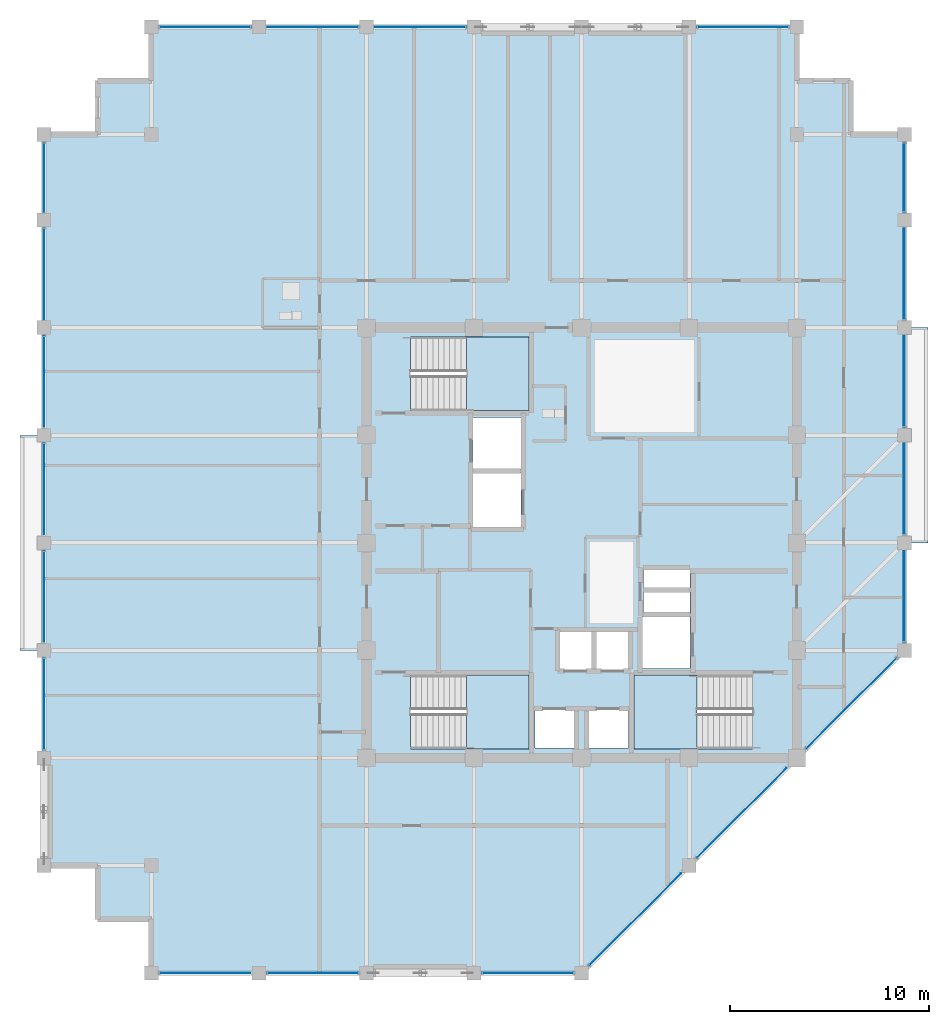
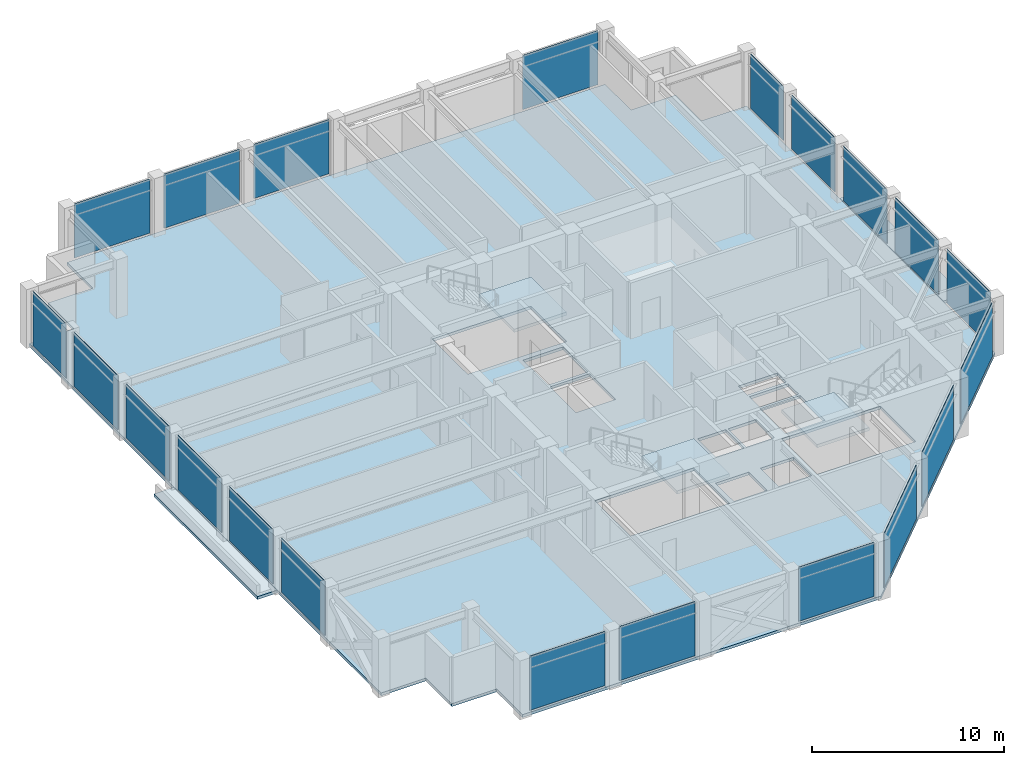
# One storey, part 22 of 30: 21 plates, 6 slabs, 10 elements without a shape of their own.
"""IFC4 building model written with IfcOpenShell, lengths in metres."""

import ifcopenshell
import ifcopenshell.guid

model = None  # the IFC model being written
_history = None  # IfcOwnerHistory: only IFC2X3 demands one
_inside = {}  # id of a spatial element -> (the spatial element, [elements in it])
_under = {}  # id of a project, library or spatial element -> (it, [spatial elements below it])
_declared = {}  # id of a project -> (the project, [libraries it declares])
_typed = {}  # id of a type object -> (the type object, [elements of that type])
_made_of = {}  # id of a material, layer set ... -> (it, [elements and type objects made of it])


def new_model(schema):
    """Start an empty IFC model of exactly this schema.

    Asked for "IFC4X3", IfcOpenShell would pick the latest addendum, in which some entities
    have other attributes; the version numbers below select the first issue.
    IFC2X3 requires an IfcOwnerHistory on every rooted entity: one is made here for all.
    """
    global model, _history
    if schema == "IFC4X3":
        model = ifcopenshell.file(schema_version=(4, 3, 0, 0))
    else:
        model = ifcopenshell.file(schema=schema)
    _inside.clear()
    _under.clear()
    _declared.clear()
    _typed.clear()
    _made_of.clear()
    _history = None
    if model.schema == "IFC2X3":
        org = make("IfcOrganization", Name="unknown")
        user = make(
            "IfcPersonAndOrganization",
            ThePerson=make("IfcPerson", FamilyName="unknown"),
            TheOrganization=org,
        )
        app = make(
            "IfcApplication",
            ApplicationDeveloper=org,
            Version="unknown",
            ApplicationFullName="unknown",
            ApplicationIdentifier="unknown",
        )
        _history = make(
            "IfcOwnerHistory",
            OwningUser=user,
            OwningApplication=app,
            ChangeAction="ADDED",
            CreationDate=0,
        )
    return model


def make(cls, **values):
    """One entity of the class cls with the attributes given. An attribute that is None is left unset."""
    return model.create_entity(
        cls, **{name: value for name, value in values.items() if value is not None}
    )


def rooted(cls, **values):
    """An entity with a GlobalId (a new one), such as an element, a storey or a relation."""
    return make(cls, GlobalId=ifcopenshell.guid.new(), OwnerHistory=_history, **values)


def si_unit(unit_type, name, prefix=None):
    """IfcSIUnit, for example si_unit("LENGTHUNIT", "METRE", prefix="MILLI")."""
    return make("IfcSIUnit", UnitType=unit_type, Prefix=prefix, Name=name)


def assignment(units):
    """IfcUnitAssignment: the units of a project."""
    return None if units is None else make("IfcUnitAssignment", Units=units)


def point(xyz):
    """IfcCartesianPoint."""
    return None if xyz is None else make("IfcCartesianPoint", Coordinates=xyz)


def direction(xyz):
    """IfcDirection."""
    return None if xyz is None else make("IfcDirection", DirectionRatios=xyz)


def frame(location, z_axis=None, x_axis=None):
    """IfcAxis2Placement3D, a coordinate frame: its origin and axes. An axis left out is left unset."""
    return make(
        "IfcAxis2Placement3D",
        Location=point(location),
        Axis=direction(z_axis),
        RefDirection=direction(x_axis),
    )


def frame_2d(location, x_axis=None):
    """IfcAxis2Placement2D, a coordinate frame in the plane: its origin and x axis."""
    return make(
        "IfcAxis2Placement2D", Location=point(location), RefDirection=direction(x_axis)
    )


def origin():
    """The frame at (0, 0, 0) with its axes left unset."""
    return frame((0.0, 0.0, 0.0))


def place(relative_to, where):
    """IfcLocalPlacement: puts the frame where relative to a parent placement (None: the world)."""
    return make(
        "IfcLocalPlacement", PlacementRelTo=relative_to, RelativePlacement=where
    )


def context(
    kind, dimensions, precision=None, world=None, true_north=None, identifier=None
):
    """IfcGeometricRepresentationContext, for example the 3D "Model" context."""
    return make(
        "IfcGeometricRepresentationContext",
        ContextIdentifier=identifier,
        ContextType=kind,
        CoordinateSpaceDimension=dimensions,
        Precision=precision,
        WorldCoordinateSystem=world,
        TrueNorth=true_north,
    )


def subcontext(parent, identifier, kind, view, scale=None):
    """IfcGeometricRepresentationSubContext, for example "Body" below "Model"."""
    return make(
        "IfcGeometricRepresentationSubContext",
        ContextIdentifier=identifier,
        ContextType=kind,
        ParentContext=parent,
        TargetScale=scale,
        TargetView=view,
    )


def project(units=None, contexts=None):
    """IfcProject with its units and contexts."""
    return rooted(
        "IfcProject",
        Name="project",
        RepresentationContexts=contexts,
        UnitsInContext=assignment(units),
    )


def spatial(cls, under=None, at=None, **own):
    """A site, building, storey or space (cls), placed at a placement, below another one or the project."""
    s = rooted(cls, ObjectPlacement=at, **own)
    if under is not None:
        _under.setdefault(under.id(), (under, []))[1].append(s)
    return s


def polyline(points):
    """IfcPolyline through the points."""
    return make("IfcPolyline", Points=[point(p) for p in points])


def profile(cls, at=None, kind="AREA", **sizes):
    """A parametric profile (cls). Its sizes go by their IFC names, for example OverallWidth=200.0."""
    return make(cls, ProfileType=kind, Position=at, **sizes)


def rectangle(**sizes):
    """IfcRectangleProfileDef."""
    return profile("IfcRectangleProfileDef", **sizes)


def outline(outer, holes=None, kind="AREA"):
    """IfcArbitraryClosedProfileDef: a profile drawn as a closed curve; with holes, ...WithVoids."""
    if holes is None:
        return make("IfcArbitraryClosedProfileDef", ProfileType=kind, OuterCurve=outer)
    return make(
        "IfcArbitraryProfileDefWithVoids",
        ProfileType=kind,
        OuterCurve=outer,
        InnerCurves=holes,
    )


def extrude(swept, where, along, depth):
    """IfcExtrudedAreaSolid: the profile swept, set in the frame where, extruded along a direction by depth."""
    return make(
        "IfcExtrudedAreaSolid",
        SweptArea=swept,
        Position=where,
        ExtrudedDirection=direction(along),
        Depth=depth,
    )


def shape(context_of_items, identifier, shape_type, items):
    """IfcShapeRepresentation: the items that make up one representation, for example the "Body"."""
    return make(
        "IfcShapeRepresentation",
        ContextOfItems=context_of_items,
        RepresentationIdentifier=identifier,
        RepresentationType=shape_type,
        Items=items,
    )


def material(Name=None, Category=None):
    """IfcMaterial."""
    return make("IfcMaterial", Name=Name, Category=Category)


def layer(
    of_material, thickness, ventilated=None, Name=None, Category=None, Priority=None
):
    """IfcMaterialLayer: one layer of a wall or slab, of a material (None: an air gap)."""
    return make(
        "IfcMaterialLayer",
        Material=of_material,
        LayerThickness=thickness,
        IsVentilated=ventilated,
        Name=Name,
        Category=Category,
        Priority=Priority,
    )


def layer_set(layers, Name=None):
    """IfcMaterialLayerSet."""
    return make("IfcMaterialLayerSet", MaterialLayers=layers, LayerSetName=Name)


def made_of(thing, what):
    """Note that an element or type object is made of a material, layer set ...; save() writes the relation."""
    if what is not None:
        _made_of.setdefault(what.id(), (what, []))[1].append(thing)
    return thing


def type_object(cls, material=None, **own):
    """A type object (cls), such as IfcWallType, which elements share."""
    return made_of(rooted(cls, **own), material)


def element(
    cls,
    number,
    at=None,
    inside=None,
    cuts=None,
    type_object=None,
    material=None,
    context=None,
    identifier="Body",
    shape_type=None,
    held_by="IfcProductDefinitionShape",
    body=None,
    shapes=None,
    **own,
):
    """One element of the class cls, such as IfcWall. Its Tag is "e" and its number.

    at: its placement. inside: the storey or other place that contains it. cuts: it is an
    opening in that element (IfcRelVoidsElement). A single representation is given by context,
    identifier, shape_type and body (its items); several are given by shapes. held_by: the class
    of the entity that holds the representations. save() writes the other relations.
    """
    e = rooted(cls, Tag="e%d" % number, ObjectPlacement=at, **own)
    if body is not None:
        shapes = [shape(context, identifier, shape_type, body)]
    if shapes is not None:
        e.Representation = make(held_by, Representations=shapes)
    if inside is not None:
        _inside.setdefault(inside.id(), (inside, []))[1].append(e)
    if cuts is not None:
        rooted(
            "IfcRelVoidsElement", RelatingBuildingElement=cuts, RelatedOpeningElement=e
        )
    if type_object is not None:
        _typed.setdefault(type_object.id(), (type_object, []))[1].append(e)
    return made_of(e, material)


def aggregate(whole, parts):
    """IfcRelAggregates: a whole, such as a stair, and the parts it consists of."""
    return rooted("IfcRelAggregates", RelatingObject=whole, RelatedObjects=parts)


def save(model, path):
    """Write the relations noted so far, then the file.

    IfcRelAggregates (storeys below a building ...), IfcRelContainedInSpatialStructure (elements
    in a storey), IfcRelDefinesByType, IfcRelAssociatesMaterial and IfcRelDeclares: one each for
    every whole, place, type object, material and project.
    """
    for whole, parts in _under.values():
        aggregate(whole, parts)
    for where, things in _inside.values():
        rooted(
            "IfcRelContainedInSpatialStructure",
            RelatedElements=things,
            RelatingStructure=where,
        )
    for kind, things in _typed.values():
        rooted("IfcRelDefinesByType", RelatedObjects=things, RelatingType=kind)
    for what, things in _made_of.values():
        rooted("IfcRelAssociatesMaterial", RelatedObjects=things, RelatingMaterial=what)
    for by, libraries in _declared.values():
        rooted("IfcRelDeclares", RelatingContext=by, RelatedDefinitions=libraries)
    model.write(path)


model = new_model("IFC4")

# Units and contexts
model_context = context("Model", 3, precision=1e-05, world=origin(), true_north=direction((0.0, 1.0)))
body_context = subcontext(model_context, "Body", "Model", "MODEL_VIEW")
ifc_project = project(units=[si_unit("LENGTHUNIT", "METRE"), si_unit("AREAUNIT", "SQUARE_METRE"), si_unit("VOLUMEUNIT", "CUBIC_METRE"), si_unit("PLANEANGLEUNIT", "RADIAN"), si_unit("MASSUNIT", "GRAM", prefix="KILO")], contexts=[model_context])

# Site, building, storey
site_placement = place(None, origin())
site = spatial("IfcSite", under=ifc_project, at=site_placement, CompositionType="ELEMENT")
building_placement = place(site_placement, origin())
building = spatial("IfcBuilding", under=site, at=building_placement, Name="Surkhivell Harbour Commons", CompositionType="ELEMENT")
storey_placement = place(building_placement, frame((0.0, 0.0, 281.25)))
storey = spatial("IfcBuildingStorey", under=building, at=storey_placement, Name="L73", CompositionType="ELEMENT", Elevation=281.25)

# Curtain wall, plates
ifc_material_1 = material(Name="Anodised pale-metal aluminium and insulated glazing", Category="aluminium")
ifc_layer_1 = layer(ifc_material_1, 0.175048828125)
ifc_layer_set_1 = layer_set([ifc_layer_1], Name="Anodised pale-metal aluminium and insulated glazing")
curtain_wall_type = type_object("IfcCurtainWallType", Name="CW-SYS-Z4", PredefinedType="NOTDEFINED", material=ifc_layer_set_1)
curtain_wall_1_placement = place(storey_placement, origin())
curtain_wall_1 = element("IfcCurtainWall", 1, at=curtain_wall_1_placement, inside=storey, type_object=curtain_wall_type, Name="L73 Curtain Wall CW-L73-E00S1", PredefinedType="NOTDEFINED")
ifc_material_2 = material(Name="Double-silver low-E laminated vision glass", Category="glass")
ifc_layer_2 = layer(ifc_material_2, 0.031982421875)
ifc_layer_set_2 = layer_set([ifc_layer_2], Name="Double-silver low-E laminated vision glass")
plate_type = type_object("IfcPlateType", Name="CWP-GLZ-32", PredefinedType="CURTAIN_PANEL", material=ifc_layer_set_2)
plate_1_placement = place(storey_placement, frame((-21.173095703125, -21.60009765625, 0.1298828125), z_axis=(0.0, 0.0, 1.0), x_axis=(1.0, 0.0, 0.0)))
plate_1 = element("IfcPlate", 2, at=plate_1_placement, type_object=plate_type, Name="CW-Z4 panel 1.1", PredefinedType="CURTAIN_PANEL", context=body_context, shape_type="SweptSolid", body=[
    extrude(rectangle(XDim=4.546142578125, YDim=0.031982421875, at=frame_2d((2.27294921875, 0.0))), origin(), (0.0, 0.0, 1.0), 3.440185546875),
])
plate_2_placement = place(storey_placement, frame((-15.77294921875, -21.60009765625, 0.1298828125), z_axis=(0.0, 0.0, 1.0), x_axis=(1.0, 0.0, 0.0)))
plate_2 = element("IfcPlate", 3, at=plate_2_placement, type_object=plate_type, Name="CW-Z4 panel 2.1", PredefinedType="CURTAIN_PANEL", context=body_context, shape_type="SweptSolid", body=[
    extrude(rectangle(XDim=4.5458984375, YDim=0.031982421875, at=frame_2d((2.27294921875, 0.0))), origin(), (0.0, 0.0, 1.0), 3.440185546875),
])
aggregate(curtain_wall_1, [plate_1, plate_2])

# Curtain wall, plate
curtain_wall_2_placement = place(storey_placement, origin())
curtain_wall_2 = element("IfcCurtainWall", 4, at=curtain_wall_2_placement, inside=storey, type_object=curtain_wall_type, Name="L73 Curtain Wall CW-L73-E00S2", PredefinedType="NOTDEFINED")
plate_3_placement = place(storey_placement, frame((-4.972900390625, -21.60009765625, 0.1298828125), z_axis=(0.0, 0.0, 1.0), x_axis=(1.0, 0.0, 0.0)))
plate_3 = element("IfcPlate", 5, at=plate_3_placement, type_object=plate_type, Name="CW-Z4 panel 1.1", PredefinedType="CURTAIN_PANEL", context=body_context, shape_type="SweptSolid", body=[
    extrude(rectangle(XDim=4.5458984375, YDim=0.031982421875, at=frame_2d((2.27294921875, 0.0))), origin(), (0.0, 0.0, 1.0), 3.440185546875),
])
aggregate(curtain_wall_2, [plate_3])

# Curtain wall, plates
curtain_wall_3_placement = place(storey_placement, origin())
curtain_wall_3 = element("IfcCurtainWall", 6, at=curtain_wall_3_placement, inside=storey, type_object=curtain_wall_type, Name="L73 Curtain Wall CW-L73-E01", PredefinedType="NOTDEFINED")
plate_4_placement = place(storey_placement, frame((0.404541015625, -21.1953125, 0.1298828125), z_axis=(0.0, 0.0, 1.0), x_axis=(0.707125583467, 0.707087978406, 0.0)))
plate_4 = element("IfcPlate", 7, at=plate_4_placement, type_object=plate_type, Name="CW-Z4 panel 1.1", PredefinedType="CURTAIN_PANEL", context=body_context, shape_type="SweptSolid", body=[
    extrude(rectangle(XDim=6.4921875, YDim=0.031982421875, at=frame_2d((3.24609375, 0.0))), origin(), (0.0, 0.0, 1.0), 3.440185546875),
])
plate_5_placement = place(storey_placement, frame((5.8046875, -15.79541015625, 0.1298828125), z_axis=(0.0, 0.0, 1.0), x_axis=(0.707106781187, 0.707106781187, 0.0)))
plate_5 = element("IfcPlate", 8, at=plate_5_placement, type_object=plate_type, Name="CW-Z4 panel 2.1", PredefinedType="CURTAIN_PANEL", context=body_context, shape_type="SweptSolid", body=[
    extrude(rectangle(XDim=6.350830078125, YDim=0.031982421875, at=frame_2d((3.17529296875, 0.0))), origin(), (0.0, 0.0, 1.0), 3.440185546875),
])
plate_6_placement = place(storey_placement, frame((11.3046875, -10.29541015625, 0.1298828125), z_axis=(0.0, 0.0, 1.0), x_axis=(0.707106781187, 0.707106781187, 0.0)))
plate_6 = element("IfcPlate", 9, at=plate_6_placement, type_object=plate_type, Name="CW-Z4 panel 3.1", PredefinedType="CURTAIN_PANEL", context=body_context, shape_type="SweptSolid", body=[
    extrude(rectangle(XDim=6.350830078125, YDim=0.031982421875, at=frame_2d((3.17529296875, 0.0))), origin(), (0.0, 0.0, 1.0), 3.440185546875),
])
aggregate(curtain_wall_3, [plate_4, plate_5, plate_6])

curtain_wall_4_placement = place(storey_placement, origin())
curtain_wall_4 = element("IfcCurtainWall", 10, at=curtain_wall_4_placement, inside=storey, type_object=curtain_wall_type, Name="L73 Curtain Wall CW-L73-E02", PredefinedType="NOTDEFINED")
plate_7_placement = place(storey_placement, frame((16.199951171875, -4.972900390625, 0.1298828125), z_axis=(0.0, 0.0, 1.0), x_axis=(0.0, 1.0, 0.0)))
plate_7 = element("IfcPlate", 11, at=plate_7_placement, type_object=plate_type, Name="CW-Z4 panel 1.1", PredefinedType="CURTAIN_PANEL", context=body_context, shape_type="SweptSolid", body=[
    extrude(rectangle(XDim=4.5458984375, YDim=0.031982421875, at=frame_2d((2.27294921875, 0.0))), origin(), (0.0, 0.0, 1.0), 3.440185546875),
])
plate_8_placement = place(storey_placement, frame((16.199951171875, 0.427001953125, 0.1298828125), z_axis=(0.0, 0.0, 1.0), x_axis=(0.0, 1.0, 0.0)))
plate_8 = element("IfcPlate", 12, at=plate_8_placement, type_object=plate_type, Name="CW-Z4 panel 2.1", PredefinedType="CURTAIN_PANEL", context=body_context, shape_type="SweptSolid", body=[
    extrude(rectangle(XDim=4.5458984375, YDim=0.031982421875, at=frame_2d((2.27294921875, 0.0))), origin(), (0.0, 0.0, 1.0), 3.440185546875),
])
plate_9_placement = place(storey_placement, frame((16.199951171875, 5.826904296875, 0.1298828125), z_axis=(0.0, 0.0, 1.0), x_axis=(0.0, 1.0, 0.0)))
plate_9 = element("IfcPlate", 13, at=plate_9_placement, type_object=plate_type, Name="CW-Z4 panel 3.1", PredefinedType="CURTAIN_PANEL", context=body_context, shape_type="SweptSolid", body=[
    extrude(rectangle(XDim=4.546142578125, YDim=0.031982421875, at=frame_2d((2.27294921875, 0.0))), origin(), (0.0, 0.0, 1.0), 3.440185546875),
])
plate_10_placement = place(storey_placement, frame((16.199951171875, 11.22705078125, 0.1298828125), z_axis=(0.0, 0.0, 1.0), x_axis=(0.0, 1.0, 0.0)))
plate_10 = element("IfcPlate", 14, at=plate_10_placement, type_object=plate_type, Name="CW-Z4 panel 4.1", PredefinedType="CURTAIN_PANEL", context=body_context, shape_type="SweptSolid", body=[
    extrude(rectangle(XDim=4.5458984375, YDim=0.031982421875, at=frame_2d((2.27294921875, 0.0))), origin(), (0.0, 0.0, 1.0), 3.440185546875),
])
plate_11_placement = place(storey_placement, frame((16.199951171875, 16.626953125, 0.1298828125), z_axis=(0.0, 0.0, 1.0), x_axis=(0.0, 1.0, 0.0)))
plate_11 = element("IfcPlate", 15, at=plate_11_placement, type_object=plate_type, Name="CW-Z4 panel 5.1", PredefinedType="CURTAIN_PANEL", context=body_context, shape_type="SweptSolid", body=[
    extrude(rectangle(XDim=3.446044921875, YDim=0.031982421875, at=frame_2d((1.72314453125, 0.0))), origin(), (0.0, 0.0, 1.0), 3.440185546875),
])
aggregate(curtain_wall_4, [plate_7, plate_8, plate_9, plate_10, plate_11])

# Curtain wall, plate
curtain_wall_5_placement = place(storey_placement, origin())
curtain_wall_5 = element("IfcCurtainWall", 16, at=curtain_wall_5_placement, inside=storey, type_object=curtain_wall_type, Name="L73 Curtain Wall CW-L73-E07S1", PredefinedType="NOTDEFINED")
plate_12_placement = place(storey_placement, frame((10.373046875, 25.89990234375, 0.1298828125), z_axis=(0.0, 0.0, 1.0), x_axis=(-1.0, 0.0, 0.0)))
plate_12 = element("IfcPlate", 17, at=plate_12_placement, type_object=plate_type, Name="CW-Z4 panel 1.1", PredefinedType="CURTAIN_PANEL", context=body_context, shape_type="SweptSolid", body=[
    extrude(rectangle(XDim=4.546142578125, YDim=0.031982421875, at=frame_2d((2.27294921875, 0.0))), origin(), (0.0, 0.0, 1.0), 3.440185546875),
])
aggregate(curtain_wall_5, [plate_12])

# Curtain wall, plates
curtain_wall_6_placement = place(storey_placement, origin())
curtain_wall_6 = element("IfcCurtainWall", 18, at=curtain_wall_6_placement, inside=storey, type_object=curtain_wall_type, Name="L73 Curtain Wall CW-L73-E07S2", PredefinedType="NOTDEFINED")
plate_13_placement = place(storey_placement, frame((-5.826904296875, 25.89990234375, 0.1298828125), z_axis=(0.0, 0.0, 1.0), x_axis=(-1.0, 0.0, 0.0)))
plate_13 = element("IfcPlate", 19, at=plate_13_placement, type_object=plate_type, Name="CW-Z4 panel 1.1", PredefinedType="CURTAIN_PANEL", context=body_context, shape_type="SweptSolid", body=[
    extrude(rectangle(XDim=4.546142578125, YDim=0.031982421875, at=frame_2d((2.27294921875, 0.0))), origin(), (0.0, 0.0, 1.0), 3.440185546875),
])
plate_14_placement = place(storey_placement, frame((-11.22705078125, 25.89990234375, 0.1298828125), z_axis=(0.0, 0.0, 1.0), x_axis=(-1.0, 0.0, 0.0)))
plate_14 = element("IfcPlate", 20, at=plate_14_placement, type_object=plate_type, Name="CW-Z4 panel 2.1", PredefinedType="CURTAIN_PANEL", context=body_context, shape_type="SweptSolid", body=[
    extrude(rectangle(XDim=4.5458984375, YDim=0.031982421875, at=frame_2d((2.27294921875, 0.0))), origin(), (0.0, 0.0, 1.0), 3.440185546875),
])
plate_15_placement = place(storey_placement, frame((-16.626953125, 25.89990234375, 0.1298828125), z_axis=(0.0, 0.0, 1.0), x_axis=(-1.0, 0.0, 0.0)))
plate_15 = element("IfcPlate", 21, at=plate_15_placement, type_object=plate_type, Name="CW-Z4 panel 3.1", PredefinedType="CURTAIN_PANEL", context=body_context, shape_type="SweptSolid", body=[
    extrude(rectangle(XDim=4.546142578125, YDim=0.031982421875, at=frame_2d((2.27294921875, 0.0))), origin(), (0.0, 0.0, 1.0), 3.440185546875),
])
aggregate(curtain_wall_6, [plate_13, plate_14, plate_15])

curtain_wall_7_placement = place(storey_placement, origin())
curtain_wall_7 = element("IfcCurtainWall", 22, at=curtain_wall_7_placement, inside=storey, type_object=curtain_wall_type, Name="L73 Curtain Wall CW-L73-E12S1", PredefinedType="NOTDEFINED")
plate_16_placement = place(storey_placement, frame((-27.0, 20.072998046875, 0.1298828125), z_axis=(0.0, 0.0, 1.0), x_axis=(0.0, -1.0, 0.0)))
plate_16 = element("IfcPlate", 23, at=plate_16_placement, type_object=plate_type, Name="CW-Z4 panel 1.1", PredefinedType="CURTAIN_PANEL", context=body_context, shape_type="SweptSolid", body=[
    extrude(rectangle(XDim=3.446044921875, YDim=0.031982421875, at=frame_2d((1.72314453125, 0.0))), origin(), (0.0, 0.0, 1.0), 3.440185546875),
])
plate_17_placement = place(storey_placement, frame((-27.0, 15.77294921875, 0.1298828125), z_axis=(0.0, 0.0, 1.0), x_axis=(0.0, -1.0, 0.0)))
plate_17 = element("IfcPlate", 24, at=plate_17_placement, type_object=plate_type, Name="CW-Z4 panel 2.1", PredefinedType="CURTAIN_PANEL", context=body_context, shape_type="SweptSolid", body=[
    extrude(rectangle(XDim=4.5458984375, YDim=0.031982421875, at=frame_2d((2.27294921875, 0.0))), origin(), (0.0, 0.0, 1.0), 3.440185546875),
])
plate_18_placement = place(storey_placement, frame((-27.0, 10.373046875, 0.1298828125), z_axis=(0.0, 0.0, 1.0), x_axis=(0.0, -1.0, 0.0)))
plate_18 = element("IfcPlate", 25, at=plate_18_placement, type_object=plate_type, Name="CW-Z4 panel 3.1", PredefinedType="CURTAIN_PANEL", context=body_context, shape_type="SweptSolid", body=[
    extrude(rectangle(XDim=4.546142578125, YDim=0.031982421875, at=frame_2d((2.27294921875, 0.0))), origin(), (0.0, 0.0, 1.0), 3.440185546875),
])
plate_19_placement = place(storey_placement, frame((-27.0, 4.972900390625, 0.1298828125), z_axis=(0.0, 0.0, 1.0), x_axis=(0.0, -1.0, 0.0)))
plate_19 = element("IfcPlate", 26, at=plate_19_placement, type_object=plate_type, Name="CW-Z4 panel 4.1", PredefinedType="CURTAIN_PANEL", context=body_context, shape_type="SweptSolid", body=[
    extrude(rectangle(XDim=4.5458984375, YDim=0.031982421875, at=frame_2d((2.27294921875, 0.0))), origin(), (0.0, 0.0, 1.0), 3.440185546875),
])
plate_20_placement = place(storey_placement, frame((-27.0, -0.427001953125, 0.1298828125), z_axis=(0.0, 0.0, 1.0), x_axis=(0.0, -1.0, 0.0)))
plate_20 = element("IfcPlate", 27, at=plate_20_placement, type_object=plate_type, Name="CW-Z4 panel 5.1", PredefinedType="CURTAIN_PANEL", context=body_context, shape_type="SweptSolid", body=[
    extrude(rectangle(XDim=4.5458984375, YDim=0.031982421875, at=frame_2d((2.27294921875, 0.0))), origin(), (0.0, 0.0, 1.0), 3.440185546875),
])
plate_21_placement = place(storey_placement, frame((-27.0, -5.826904296875, 0.1298828125), z_axis=(0.0, 0.0, 1.0), x_axis=(0.0, -1.0, 0.0)))
plate_21 = element("IfcPlate", 28, at=plate_21_placement, type_object=plate_type, Name="CW-Z4 panel 6.1", PredefinedType="CURTAIN_PANEL", context=body_context, shape_type="SweptSolid", body=[
    extrude(rectangle(XDim=4.546142578125, YDim=0.031982421875, at=frame_2d((2.27294921875, 0.0))), origin(), (0.0, 0.0, 1.0), 3.440185546875),
])
aggregate(curtain_wall_7, [plate_16, plate_17, plate_18, plate_19, plate_20, plate_21])

# Slabs
ifc_material_3 = material(Name="Concrete C45/55", Category="concrete")
ifc_layer_3 = layer(ifc_material_3, 0.179931640625)
ifc_layer_set_3 = layer_set([ifc_layer_3], Name="Concrete C45/55")
slab_type_1 = type_object("IfcSlabType", Name="SLB-BOXRF-180", PredefinedType="ROOF", material=ifc_layer_set_3)
slab_1_placement = place(storey_placement, frame((0.0, 0.0, -0.179931640625)))
element("IfcSlab", 29, at=slab_1_placement, inside=storey, type_object=slab_type_1, Name="L73 Closed Box-Cluster Roof Slab 1", PredefinedType="ROOF", context=body_context, shape_type="SweptSolid", body=[
    extrude(outline(polyline([(17.39990234375, 10.800048828125), (16.219970703125, 10.800048828125), (16.219970703125, 0.0), (17.39990234375, 0.0), (17.39990234375, 10.800048828125)])), origin(), (0.0, 0.0, 1.0), 0.179931640625),
])
slab_2_placement = place(storey_placement, frame((0.0, 0.0, -0.179931640625)))
element("IfcSlab", 30, at=slab_2_placement, inside=storey, type_object=slab_type_1, Name="L73 Closed Box-Cluster Roof Slab 2", PredefinedType="ROOF", context=body_context, shape_type="SweptSolid", body=[
    extrude(outline(polyline([(-28.199951171875, -5.39990234375), (-27.02001953125, -5.39990234375), (-27.02001953125, 5.39990234375), (-28.199951171875, 5.39990234375), (-28.199951171875, -5.39990234375)])), origin(), (0.0, 0.0, 1.0), 0.179931640625),
])

# Stair, slab
ifc_material_4 = material(Name="Precast concrete C45/55", Category="concrete")
stair_type = type_object("IfcStairType", Name="STR-DL-375", PredefinedType="HALF_TURN_STAIR", material=ifc_material_4)
stair_1_placement = place(storey_placement, origin())
stair_1 = element("IfcStair", 31, at=stair_1_placement, inside=storey, type_object=stair_type, Name="L73 Core Exit Stair ST1", PredefinedType="HALF_TURN_STAIR")
ifc_material_5 = material(Name="Reinforced concrete C45/55", Category="concrete")
ifc_layer_4 = layer(ifc_material_5, 0.199951171875)
ifc_layer_set_4 = layer_set([ifc_layer_4], Name="Reinforced concrete C45/55")
slab_type_2 = type_object("IfcSlabType", Name="SLB-ST-LND200", PredefinedType="LANDING", material=ifc_layer_set_4)
slab_3_placement = place(storey_placement, frame((0.0, 0.0, 1.675048828125)))
slab_3 = element("IfcSlab", 32, at=slab_3_placement, type_object=slab_type_2, Name="ST1 landing 1", PredefinedType="LANDING", context=body_context, shape_type="SweptSolid", body=[
    extrude(outline(polyline([(-5.7900390625, 6.639892578125), (-2.639892578125, 6.639892578125), (-2.639892578125, 10.340087890625), (-5.7900390625, 10.340087890625), (-5.7900390625, 6.639892578125)])), origin(), (0.0, 0.0, 1.0), 0.199951171875),
])
aggregate(stair_1, [slab_3])

stair_2_placement = place(storey_placement, origin())
stair_2 = element("IfcStair", 33, at=stair_2_placement, inside=storey, type_object=stair_type, Name="L73 Core Exit Stair ST2", PredefinedType="HALF_TURN_STAIR")
slab_4_placement = place(storey_placement, frame((0.0, 0.0, 1.675048828125)))
slab_4 = element("IfcSlab", 34, at=slab_4_placement, type_object=slab_type_2, Name="ST2 landing 1", PredefinedType="LANDING", context=body_context, shape_type="SweptSolid", body=[
    extrude(outline(polyline([(5.7900390625, -6.639892578125), (2.639892578125, -6.639892578125), (2.639892578125, -10.340087890625), (5.7900390625, -10.340087890625), (5.7900390625, -6.639892578125)])), origin(), (0.0, 0.0, 1.0), 0.199951171875),
])
aggregate(stair_2, [slab_4])

stair_3_placement = place(storey_placement, origin())
stair_3 = element("IfcStair", 35, at=stair_3_placement, inside=storey, type_object=stair_type, Name="L73 Core Exit Stair ST3", PredefinedType="HALF_TURN_STAIR")
slab_5_placement = place(storey_placement, frame((0.0, 0.0, 1.675048828125)))
slab_5 = element("IfcSlab", 36, at=slab_5_placement, type_object=slab_type_2, Name="ST3 landing 1", PredefinedType="LANDING", context=body_context, shape_type="SweptSolid", body=[
    extrude(outline(polyline([(-5.7900390625, -10.340087890625), (-2.639892578125, -10.340087890625), (-2.639892578125, -6.639892578125), (-5.7900390625, -6.639892578125), (-5.7900390625, -10.340087890625)])), origin(), (0.0, 0.0, 1.0), 0.199951171875),
])
aggregate(stair_3, [slab_5])

# Slab
ifc_layer_5 = layer(ifc_material_3, 0.179931640625)
ifc_layer_set_5 = layer_set([ifc_layer_5], Name="Concrete C45/55")
slab_type_3 = type_object("IfcSlabType", Name="SLB-TYP-180", PredefinedType="FLOOR", material=ifc_layer_set_5)
slab_6_placement = place(storey_placement, frame((0.0, 0.0, -0.179931640625)))
element("IfcSlab", 37, at=slab_6_placement, inside=storey, type_object=slab_type_3, Name="L73 Structural Floor Slab", PredefinedType="FLOOR", context=body_context, shape_type="SweptSolid", body=[
    extrude(outline(polyline([(-21.60009765625, -21.60009765625), (0.0, -21.60009765625), (16.199951171875, -5.39990234375), (16.199951171875, 20.5), (13.5, 20.5), (13.5, 23.199951171875), (10.800048828125, 23.199951171875), (10.800048828125, 25.89990234375), (-21.60009765625, 25.89990234375), (-21.60009765625, 23.199951171875), (-24.300048828125, 23.199951171875), (-24.300048828125, 20.5), (-27.0, 20.5), (-27.0, -16.199951171875), (-24.300048828125, -16.199951171875), (-24.300048828125, -18.89990234375), (-21.60009765625, -18.89990234375), (-21.60009765625, -21.60009765625)]), holes=[polyline([(-8.590087890625, 6.639892578125), (-2.639892578125, 6.639892578125), (-2.639892578125, 10.340087890625), (-8.590087890625, 10.340087890625), (-8.590087890625, 6.639892578125)]), polyline([(8.590087890625, -6.639892578125), (2.639892578125, -6.639892578125), (2.639892578125, -10.340087890625), (8.590087890625, -10.340087890625), (8.590087890625, -6.639892578125)]), polyline([(-8.590087890625, -10.340087890625), (-2.639892578125, -10.340087890625), (-2.639892578125, -6.639892578125), (-8.590087890625, -6.639892578125), (-8.590087890625, -10.340087890625)]), polyline([(-1.14990234375, -6.35009765625), (0.550048828125, -6.35009765625), (0.550048828125, -4.449951171875), (-1.14990234375, -4.449951171875), (-1.14990234375, -6.35009765625)]), polyline([(0.679931640625, -6.35009765625), (2.3798828125, -6.35009765625), (2.3798828125, -4.449951171875), (0.679931640625, -4.449951171875), (0.679931640625, -6.35009765625)]), polyline([(-2.35009765625, -10.300048828125), (-0.35009765625, -10.300048828125), (-0.35009765625, -8.39990234375), (-2.35009765625, -8.39990234375), (-2.35009765625, -10.300048828125)]), polyline([(0.35009765625, -10.300048828125), (2.35009765625, -10.300048828125), (2.35009765625, -8.39990234375), (0.35009765625, -8.39990234375), (0.35009765625, -10.300048828125)]), polyline([(-5.449951171875, 3.699951171875), (-3.050048828125, 3.699951171875), (-3.050048828125, 6.300048828125), (-5.449951171875, 6.300048828125), (-5.449951171875, 3.699951171875)]), polyline([(3.050048828125, -6.300048828125), (5.449951171875, -6.300048828125), (5.449951171875, -3.699951171875), (3.050048828125, -3.699951171875), (3.050048828125, -6.300048828125)]), polyline([(-5.449951171875, 0.800048828125), (-3.050048828125, 0.800048828125), (-3.050048828125, 3.5), (-5.449951171875, 3.5), (-5.449951171875, 0.800048828125)]), polyline([(3.10009765625, -3.550048828125), (5.449951171875, -3.550048828125), (5.449951171875, -2.47998046875), (3.10009765625, -2.47998046875), (3.10009765625, -3.550048828125)]), polyline([(3.10009765625, -2.280029296875), (5.449951171875, -2.280029296875), (5.449951171875, -1.35009765625), (3.10009765625, -1.35009765625), (3.10009765625, -2.280029296875)])]), origin(), (0.0, 0.0, 1.0), 0.179931640625),
])

save(model, "model.ifc")
